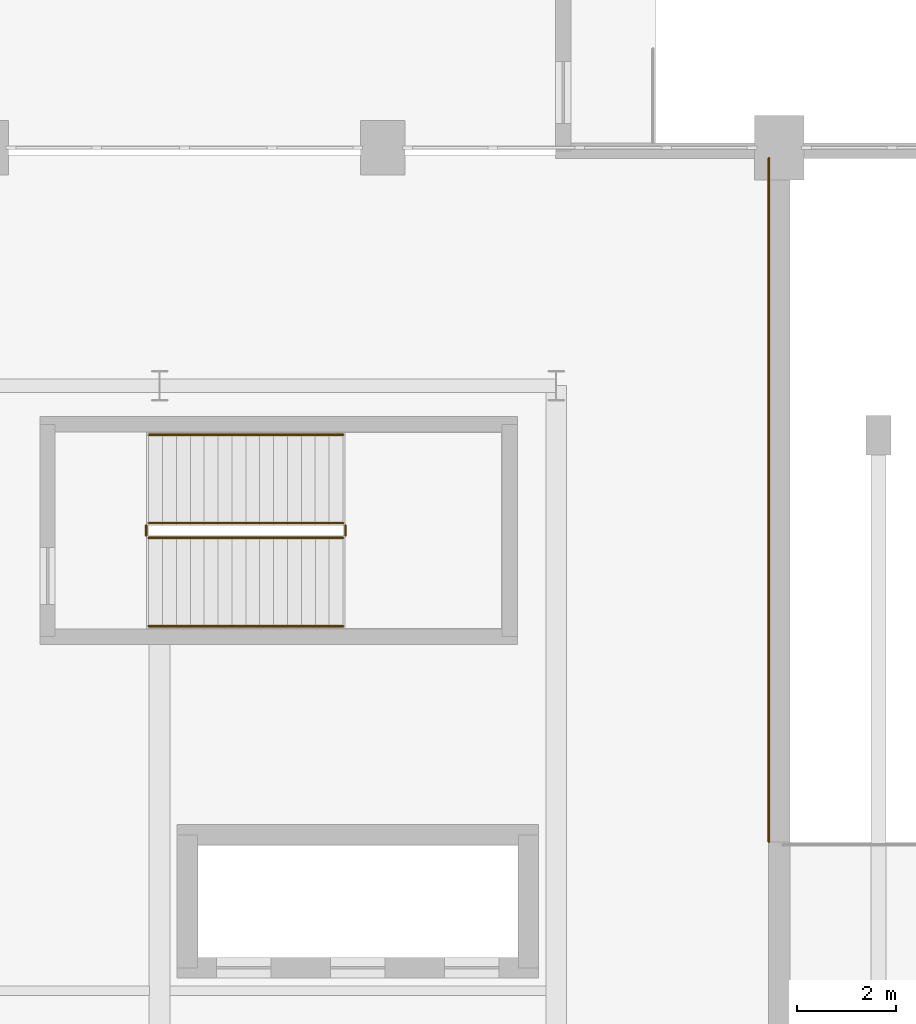
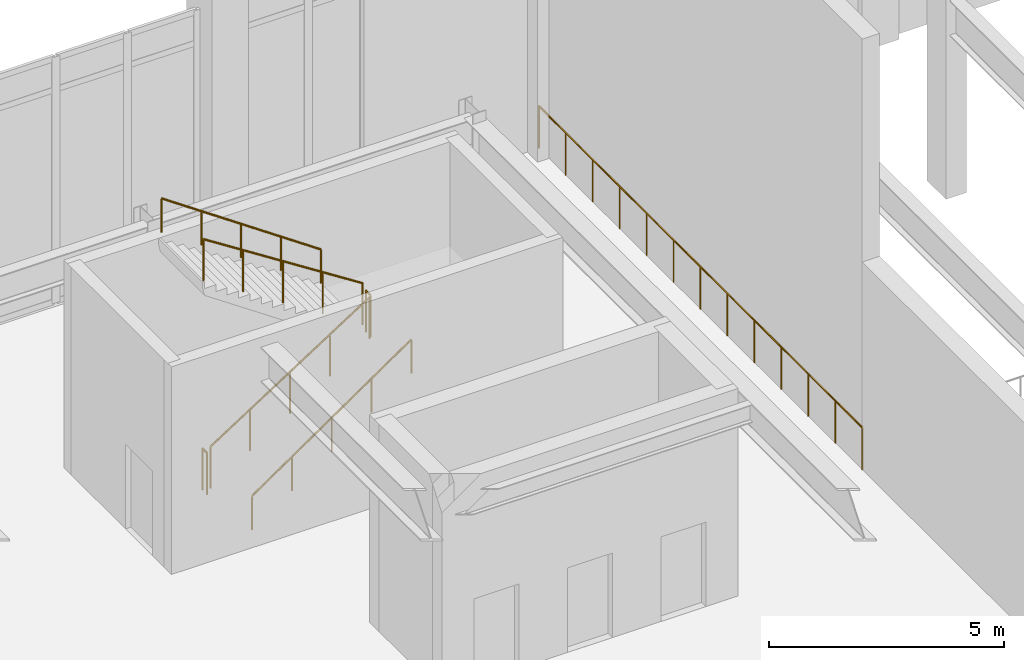
# One storey, part 83 of 84: 7 railings.
"""IFC4 building model written with IfcOpenShell, lengths in metres."""

import ifcopenshell
import ifcopenshell.guid

model = None  # the IFC model being written
_history = None  # IfcOwnerHistory: only IFC2X3 demands one
_inside = {}  # id of a spatial element -> (the spatial element, [elements in it])
_under = {}  # id of a project, library or spatial element -> (it, [spatial elements below it])
_declared = {}  # id of a project -> (the project, [libraries it declares])
_typed = {}  # id of a type object -> (the type object, [elements of that type])
_made_of = {}  # id of a material, layer set ... -> (it, [elements and type objects made of it])


def new_model(schema):
    """Start an empty IFC model of exactly this schema.

    Asked for "IFC4X3", IfcOpenShell would pick the latest addendum, in which some entities
    have other attributes; the version numbers below select the first issue.
    IFC2X3 requires an IfcOwnerHistory on every rooted entity: one is made here for all.
    """
    global model, _history
    if schema == "IFC4X3":
        model = ifcopenshell.file(schema_version=(4, 3, 0, 0))
    else:
        model = ifcopenshell.file(schema=schema)
    _inside.clear()
    _under.clear()
    _declared.clear()
    _typed.clear()
    _made_of.clear()
    _history = None
    if model.schema == "IFC2X3":
        org = make("IfcOrganization", Name="unknown")
        user = make(
            "IfcPersonAndOrganization",
            ThePerson=make("IfcPerson", FamilyName="unknown"),
            TheOrganization=org,
        )
        app = make(
            "IfcApplication",
            ApplicationDeveloper=org,
            Version="unknown",
            ApplicationFullName="unknown",
            ApplicationIdentifier="unknown",
        )
        _history = make(
            "IfcOwnerHistory",
            OwningUser=user,
            OwningApplication=app,
            ChangeAction="ADDED",
            CreationDate=0,
        )
    return model


def make(cls, **values):
    """One entity of the class cls with the attributes given. An attribute that is None is left unset."""
    return model.create_entity(
        cls, **{name: value for name, value in values.items() if value is not None}
    )


def rooted(cls, **values):
    """An entity with a GlobalId (a new one), such as an element, a storey or a relation."""
    return make(cls, GlobalId=ifcopenshell.guid.new(), OwnerHistory=_history, **values)


def si_unit(unit_type, name, prefix=None):
    """IfcSIUnit, for example si_unit("LENGTHUNIT", "METRE", prefix="MILLI")."""
    return make("IfcSIUnit", UnitType=unit_type, Prefix=prefix, Name=name)


def assignment(units):
    """IfcUnitAssignment: the units of a project."""
    return None if units is None else make("IfcUnitAssignment", Units=units)


def point(xyz):
    """IfcCartesianPoint."""
    return None if xyz is None else make("IfcCartesianPoint", Coordinates=xyz)


def direction(xyz):
    """IfcDirection."""
    return None if xyz is None else make("IfcDirection", DirectionRatios=xyz)


def frame(location, z_axis=None, x_axis=None):
    """IfcAxis2Placement3D, a coordinate frame: its origin and axes. An axis left out is left unset."""
    return make(
        "IfcAxis2Placement3D",
        Location=point(location),
        Axis=direction(z_axis),
        RefDirection=direction(x_axis),
    )


def frame_2d(location, x_axis=None):
    """IfcAxis2Placement2D, a coordinate frame in the plane: its origin and x axis."""
    return make(
        "IfcAxis2Placement2D", Location=point(location), RefDirection=direction(x_axis)
    )


def origin():
    """The frame at (0, 0, 0) with its axes left unset."""
    return frame((0.0, 0.0, 0.0))


def origin_2d():
    """The frame at (0, 0) in the plane with its x axis left unset."""
    return frame_2d((0.0, 0.0))


def place(relative_to, where):
    """IfcLocalPlacement: puts the frame where relative to a parent placement (None: the world)."""
    return make(
        "IfcLocalPlacement", PlacementRelTo=relative_to, RelativePlacement=where
    )


def context(
    kind, dimensions, precision=None, world=None, true_north=None, identifier=None
):
    """IfcGeometricRepresentationContext, for example the 3D "Model" context."""
    return make(
        "IfcGeometricRepresentationContext",
        ContextIdentifier=identifier,
        ContextType=kind,
        CoordinateSpaceDimension=dimensions,
        Precision=precision,
        WorldCoordinateSystem=world,
        TrueNorth=true_north,
    )


def subcontext(parent, identifier, kind, view, scale=None):
    """IfcGeometricRepresentationSubContext, for example "Body" below "Model"."""
    return make(
        "IfcGeometricRepresentationSubContext",
        ContextIdentifier=identifier,
        ContextType=kind,
        ParentContext=parent,
        TargetScale=scale,
        TargetView=view,
    )


def project(units=None, contexts=None):
    """IfcProject with its units and contexts."""
    return rooted(
        "IfcProject",
        Name="project",
        RepresentationContexts=contexts,
        UnitsInContext=assignment(units),
    )


def spatial(cls, under=None, at=None, **own):
    """A site, building, storey or space (cls), placed at a placement, below another one or the project."""
    s = rooted(cls, ObjectPlacement=at, **own)
    if under is not None:
        _under.setdefault(under.id(), (under, []))[1].append(s)
    return s


def profile(cls, at=None, kind="AREA", **sizes):
    """A parametric profile (cls). Its sizes go by their IFC names, for example OverallWidth=200.0."""
    return make(cls, ProfileType=kind, Position=at, **sizes)


def circle(**sizes):
    """IfcCircleProfileDef."""
    return profile("IfcCircleProfileDef", **sizes)


def extrude(swept, where, along, depth):
    """IfcExtrudedAreaSolid: the profile swept, set in the frame where, extruded along a direction by depth."""
    return make(
        "IfcExtrudedAreaSolid",
        SweptArea=swept,
        Position=where,
        ExtrudedDirection=direction(along),
        Depth=depth,
    )


def shape(context_of_items, identifier, shape_type, items):
    """IfcShapeRepresentation: the items that make up one representation, for example the "Body"."""
    return make(
        "IfcShapeRepresentation",
        ContextOfItems=context_of_items,
        RepresentationIdentifier=identifier,
        RepresentationType=shape_type,
        Items=items,
    )


def material(Name=None, Category=None):
    """IfcMaterial."""
    return make("IfcMaterial", Name=Name, Category=Category)


def made_of(thing, what):
    """Note that an element or type object is made of a material, layer set ...; save() writes the relation."""
    if what is not None:
        _made_of.setdefault(what.id(), (what, []))[1].append(thing)
    return thing


def type_object(cls, material=None, **own):
    """A type object (cls), such as IfcWallType, which elements share."""
    return made_of(rooted(cls, **own), material)


def element(
    cls,
    number,
    at=None,
    inside=None,
    cuts=None,
    type_object=None,
    material=None,
    context=None,
    identifier="Body",
    shape_type=None,
    held_by="IfcProductDefinitionShape",
    body=None,
    shapes=None,
    **own,
):
    """One element of the class cls, such as IfcWall. Its Tag is "e" and its number.

    at: its placement. inside: the storey or other place that contains it. cuts: it is an
    opening in that element (IfcRelVoidsElement). A single representation is given by context,
    identifier, shape_type and body (its items); several are given by shapes. held_by: the class
    of the entity that holds the representations. save() writes the other relations.
    """
    e = rooted(cls, Tag="e%d" % number, ObjectPlacement=at, **own)
    if body is not None:
        shapes = [shape(context, identifier, shape_type, body)]
    if shapes is not None:
        e.Representation = make(held_by, Representations=shapes)
    if inside is not None:
        _inside.setdefault(inside.id(), (inside, []))[1].append(e)
    if cuts is not None:
        rooted(
            "IfcRelVoidsElement", RelatingBuildingElement=cuts, RelatedOpeningElement=e
        )
    if type_object is not None:
        _typed.setdefault(type_object.id(), (type_object, []))[1].append(e)
    return made_of(e, material)


def aggregate(whole, parts):
    """IfcRelAggregates: a whole, such as a stair, and the parts it consists of."""
    return rooted("IfcRelAggregates", RelatingObject=whole, RelatedObjects=parts)


def save(model, path):
    """Write the relations noted so far, then the file.

    IfcRelAggregates (storeys below a building ...), IfcRelContainedInSpatialStructure (elements
    in a storey), IfcRelDefinesByType, IfcRelAssociatesMaterial and IfcRelDeclares: one each for
    every whole, place, type object, material and project.
    """
    for whole, parts in _under.values():
        aggregate(whole, parts)
    for where, things in _inside.values():
        rooted(
            "IfcRelContainedInSpatialStructure",
            RelatedElements=things,
            RelatingStructure=where,
        )
    for kind, things in _typed.values():
        rooted("IfcRelDefinesByType", RelatedObjects=things, RelatingType=kind)
    for what, things in _made_of.values():
        rooted("IfcRelAssociatesMaterial", RelatedObjects=things, RelatingMaterial=what)
    for by, libraries in _declared.values():
        rooted("IfcRelDeclares", RelatingContext=by, RelatedDefinitions=libraries)
    model.write(path)


model = new_model("IFC4")

# Units and contexts
model_context = context("Model", 3, precision=1e-05, world=origin(), true_north=direction((0.0, 1.0)))
body_context = subcontext(model_context, "Body", "Model", "MODEL_VIEW")
ifc_project = project(units=[si_unit("LENGTHUNIT", "METRE"), si_unit("AREAUNIT", "SQUARE_METRE"), si_unit("VOLUMEUNIT", "CUBIC_METRE"), si_unit("PLANEANGLEUNIT", "RADIAN"), si_unit("MASSUNIT", "GRAM", prefix="KILO")], contexts=[model_context])

# Site, building, storey
site_placement = place(None, origin())
site = spatial("IfcSite", under=ifc_project, at=site_placement, CompositionType="ELEMENT")
building_placement = place(site_placement, origin())
building = spatial("IfcBuilding", under=site, at=building_placement, Name="Tlacozan Convention Centre", CompositionType="ELEMENT")
storey_placement = place(building_placement, frame((0.0, 0.0, 6.0)))
storey = spatial("IfcBuildingStorey", under=building, at=storey_placement, Name="L01", CompositionType="ELEMENT", Elevation=6.0)

# Railings
ifc_material = material(Name="Architectural Painted Galvanised Steel Railing", Category="steel")
railing_type_1 = type_object("IfcRailingType", Name="Stair Wall Handrail 900", PredefinedType="HANDRAIL", material=ifc_material)
railing_1_placement = place(storey_placement, frame((131.280029296875, 52.35009765625, 0.179931640625)))
element("IfcRailing", 1, at=railing_1_placement, inside=storey, type_object=railing_type_1, Name="L01 ST-03 stair handrail 1", PredefinedType="HANDRAIL", context=body_context, shape_type="SweptSolid", body=[
    extrude(circle(Radius=0.02392578125, at=origin_2d()), frame((0.0, 0.0, 0.8759765625), z_axis=(0.823550731654, 0.0, 0.567242622158), x_axis=(0.0, 1.0, 0.0)), (0.0, 0.0, 1.0), 4.759765625),
    extrude(circle(Radius=0.02099609375, at=origin_2d()), origin(), (0.0, 0.0, 1.0), 0.851806640625),
    extrude(circle(Radius=0.02099609375, at=origin_2d()), frame((0.97998046875, 0.0, 0.675048828125)), (0.0, 0.0, 1.0), 0.851806640625),
    extrude(circle(Radius=0.02099609375, at=origin_2d()), frame((1.9599609375, 0.0, 1.35009765625)), (0.0, 0.0, 1.0), 0.851806640625),
    extrude(circle(Radius=0.02099609375, at=origin_2d()), frame((2.93994140625, 0.0, 2.02490234375)), (0.0, 0.0, 1.0), 0.851806640625),
    extrude(circle(Radius=0.02099609375, at=origin_2d()), frame((3.919921875, 0.0, 2.699951171875)), (0.0, 0.0, 1.0), 0.851806640625),
])
railing_2_placement = place(storey_placement, frame((135.199951171875, 56.2099609375, 2.8798828125)))
element("IfcRailing", 2, at=railing_2_placement, inside=storey, type_object=railing_type_1, Name="L01 ST-03 stair handrail 2", PredefinedType="HANDRAIL", context=body_context, shape_type="SweptSolid", body=[
    extrude(circle(Radius=0.02392578125, at=origin_2d()), frame((0.0, 0.0, 0.8759765625), z_axis=(-0.823526770215, 0.0, 0.56727740898), x_axis=(0.0, -1.0, 0.0)), (0.0, 0.0, 1.0), 4.760009765625),
    extrude(circle(Radius=0.02099609375, at=origin_2d()), origin(), (0.0, 0.0, 1.0), 0.851806640625),
    extrude(circle(Radius=0.02099609375, at=origin_2d()), frame((-0.97998046875, 0.0, 0.675048828125)), (0.0, 0.0, 1.0), 0.851806640625),
    extrude(circle(Radius=0.02099609375, at=origin_2d()), frame((-1.9599609375, 0.0, 1.35009765625)), (0.0, 0.0, 1.0), 0.851806640625),
    extrude(circle(Radius=0.02099609375, at=origin_2d()), frame((-2.93994140625, 0.0, 2.025146484375)), (0.0, 0.0, 1.0), 0.851806640625),
    extrude(circle(Radius=0.02099609375, at=origin_2d()), frame((-3.919921875, 0.0, 2.7001953125)), (0.0, 0.0, 1.0), 0.851806640625),
])
railing_type_2 = type_object("IfcRailingType", Name="Stair Well Guardrail 1100", PredefinedType="GUARDRAIL", material=ifc_material)
railing_3_placement = place(storey_placement, frame((131.280029296875, 54.1298828125, 0.179931640625)))
element("IfcRailing", 3, at=railing_3_placement, inside=storey, type_object=railing_type_2, Name="L01 ST-03 stair guard 1", PredefinedType="GUARDRAIL", context=body_context, shape_type="SweptSolid", body=[
    extrude(circle(Radius=0.02392578125, at=origin_2d()), frame((0.0, 0.0, 1.076171875), z_axis=(0.841171666519, 0.0, 0.540768182723), x_axis=(0.0, 1.0, 0.0)), (0.0, 0.0, 1.0), 4.66015625),
    extrude(circle(Radius=0.02099609375, at=origin_2d()), origin(), (0.0, 0.0, 1.0), 1.052001953125),
    extrude(circle(Radius=0.02099609375, at=origin_2d()), frame((0.97998046875, 0.0, 0.6298828125)), (0.0, 0.0, 1.0), 1.052001953125),
    extrude(circle(Radius=0.02099609375, at=origin_2d()), frame((1.9599609375, 0.0, 1.260009765625)), (0.0, 0.0, 1.0), 1.052001953125),
    extrude(circle(Radius=0.02099609375, at=origin_2d()), frame((2.93994140625, 0.0, 1.89013671875)), (0.0, 0.0, 1.0), 1.052001953125),
    extrude(circle(Radius=0.02099609375, at=origin_2d()), frame((3.919921875, 0.0, 2.52001953125)), (0.0, 0.0, 1.0), 1.052001953125),
])
railing_4_placement = place(storey_placement, frame((135.25, 54.179931640625, 2.699951171875)))
element("IfcRailing", 4, at=railing_4_placement, inside=storey, type_object=railing_type_2, Name="L01 ST-03 stair guard 2", PredefinedType="GUARDRAIL", context=body_context, shape_type="SweptSolid", body=[
    extrude(circle(Radius=0.02392578125, at=origin_2d()), frame((0.0, 0.0, 1.076171875), z_axis=(0.0, 1.0, 0.0), x_axis=(-1.0, 0.0, 0.0)), (0.0, 0.0, 1.0), 0.199951171875),
    extrude(circle(Radius=0.02099609375, at=origin_2d()), origin(), (0.0, 0.0, 1.0), 1.052001953125),
    extrude(circle(Radius=0.02099609375, at=origin_2d()), frame((0.0, 0.199951171875, 0.0)), (0.0, 0.0, 1.0), 1.052001953125),
])
railing_5_placement = place(storey_placement, frame((135.199951171875, 54.429931640625, 2.8798828125)))
element("IfcRailing", 5, at=railing_5_placement, inside=storey, type_object=railing_type_2, Name="L01 ST-03 stair guard 3", PredefinedType="GUARDRAIL", context=body_context, shape_type="SweptSolid", body=[
    extrude(circle(Radius=0.02392578125, at=origin_2d()), frame((0.0, 0.0, 1.076171875), z_axis=(-0.841171666519, 0.0, 0.540768182723), x_axis=(0.0, -1.0, 0.0)), (0.0, 0.0, 1.0), 4.66015625),
    extrude(circle(Radius=0.02099609375, at=origin_2d()), origin(), (0.0, 0.0, 1.0), 1.052001953125),
    extrude(circle(Radius=0.02099609375, at=origin_2d()), frame((-0.97998046875, 0.0, 0.6298828125)), (0.0, 0.0, 1.0), 1.052001953125),
    extrude(circle(Radius=0.02099609375, at=origin_2d()), frame((-1.9599609375, 0.0, 1.260009765625)), (0.0, 0.0, 1.0), 1.052001953125),
    extrude(circle(Radius=0.02099609375, at=origin_2d()), frame((-2.93994140625, 0.0, 1.89013671875)), (0.0, 0.0, 1.0), 1.052001953125),
    extrude(circle(Radius=0.02099609375, at=origin_2d()), frame((-3.919921875, 0.0, 2.52001953125)), (0.0, 0.0, 1.0), 1.052001953125),
])
railing_6_placement = place(storey_placement, frame((131.22998046875, 54.179931640625, 0.0)))
element("IfcRailing", 6, at=railing_6_placement, inside=storey, type_object=railing_type_2, Name="L01 ST-03 stair guard 4", PredefinedType="GUARDRAIL", context=body_context, shape_type="SweptSolid", body=[
    extrude(circle(Radius=0.02392578125, at=origin_2d()), frame((0.0, 0.0, 1.076171875), z_axis=(0.0, 1.0, 0.0), x_axis=(-1.0, 0.0, 0.0)), (0.0, 0.0, 1.0), 0.199951171875),
    extrude(circle(Radius=0.02099609375, at=origin_2d()), origin(), (0.0, 0.0, 1.0), 1.052001953125),
    extrude(circle(Radius=0.02099609375, at=origin_2d()), frame((0.0, 0.199951171875, 0.0)), (0.0, 0.0, 1.0), 1.052001953125),
])
railing_type_3 = type_object("IfcRailingType", Name="Terrace Perimeter Guardrail 1120", PredefinedType="GUARDRAIL", material=ifc_material)
railing_7_placement = place(storey_placement, frame((143.7900390625, 48.0, 0.0)))
element("IfcRailing", 7, at=railing_7_placement, inside=storey, type_object=railing_type_3, Name="L01 Seismic Joint Edge Guardrail", PredefinedType="GUARDRAIL", context=body_context, shape_type="SweptSolid", body=[
    extrude(circle(Radius=0.02392578125, at=origin_2d()), frame((0.0, 0.0, 1.09619140625), z_axis=(0.0, 1.0, 0.0), x_axis=(-1.0, 0.0, 0.0)), (0.0, 0.0, 1.0), 13.7900390625),
    extrude(circle(Radius=0.02099609375, at=origin_2d()), origin(), (0.0, 0.0, 1.0), 1.072021484375),
    extrude(circle(Radius=0.02099609375, at=origin_2d()), frame((0.0, 1.149169921875, 0.0)), (0.0, 0.0, 1.0), 1.072021484375),
    extrude(circle(Radius=0.02099609375, at=origin_2d()), frame((0.0, 2.29833984375, 0.0)), (0.0, 0.0, 1.0), 1.072021484375),
    extrude(circle(Radius=0.02099609375, at=origin_2d()), frame((0.0, 3.447509765625, 0.0)), (0.0, 0.0, 1.0), 1.072021484375),
    extrude(circle(Radius=0.02099609375, at=origin_2d()), frame((0.0, 4.5966796875, 0.0)), (0.0, 0.0, 1.0), 1.072021484375),
    extrude(circle(Radius=0.02099609375, at=origin_2d()), frame((0.0, 5.745849609375, 0.0)), (0.0, 0.0, 1.0), 1.072021484375),
    extrude(circle(Radius=0.02099609375, at=origin_2d()), frame((0.0, 6.89501953125, 0.0)), (0.0, 0.0, 1.0), 1.072021484375),
    extrude(circle(Radius=0.02099609375, at=origin_2d()), frame((0.0, 8.044189453125, 0.0)), (0.0, 0.0, 1.0), 1.072021484375),
    extrude(circle(Radius=0.02099609375, at=origin_2d()), frame((0.0, 9.193359375, 0.0)), (0.0, 0.0, 1.0), 1.072021484375),
    extrude(circle(Radius=0.02099609375, at=origin_2d()), frame((0.0, 10.342529296875, 0.0)), (0.0, 0.0, 1.0), 1.072021484375),
    extrude(circle(Radius=0.02099609375, at=origin_2d()), frame((0.0, 11.49169921875, 0.0)), (0.0, 0.0, 1.0), 1.072021484375),
    extrude(circle(Radius=0.02099609375, at=origin_2d()), frame((0.0, 12.640869140625, 0.0)), (0.0, 0.0, 1.0), 1.072021484375),
    extrude(circle(Radius=0.02099609375, at=origin_2d()), frame((0.0, 13.7900390625, 0.0)), (0.0, 0.0, 1.0), 1.072021484375),
])

save(model, "model.ifc")
